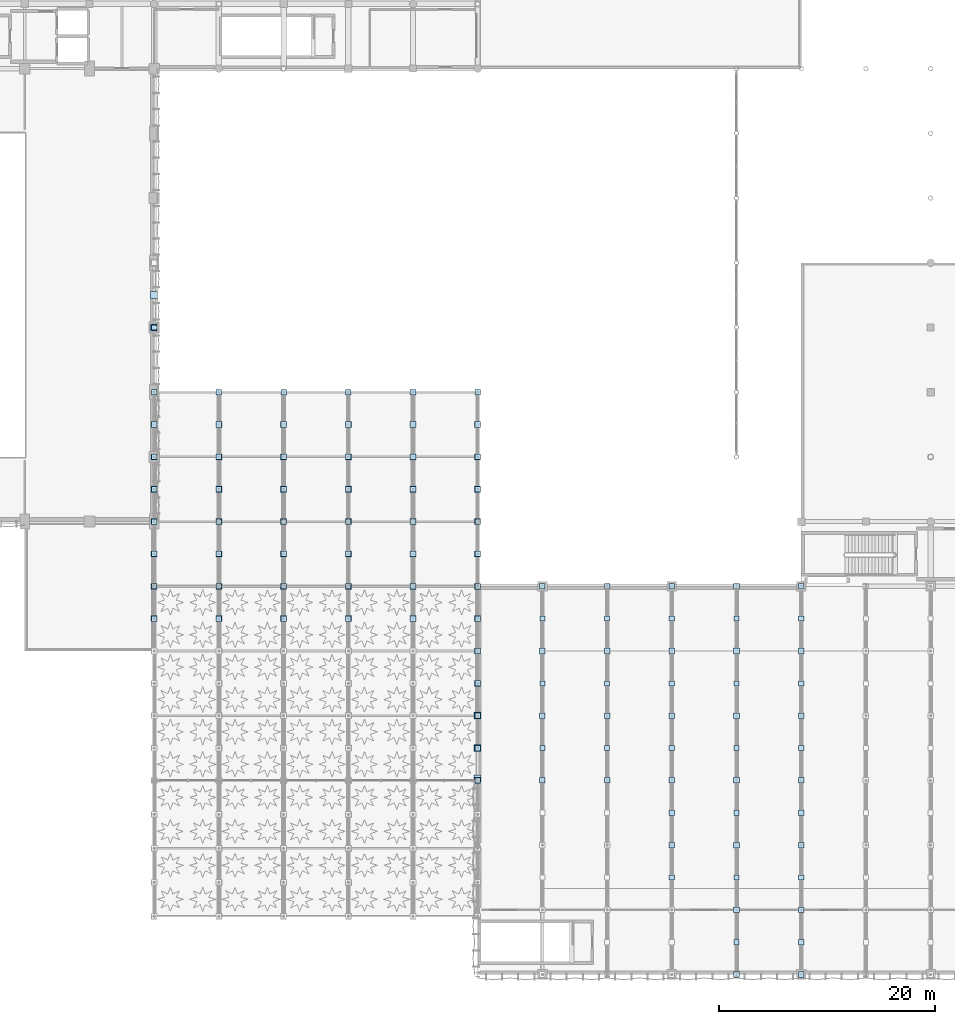
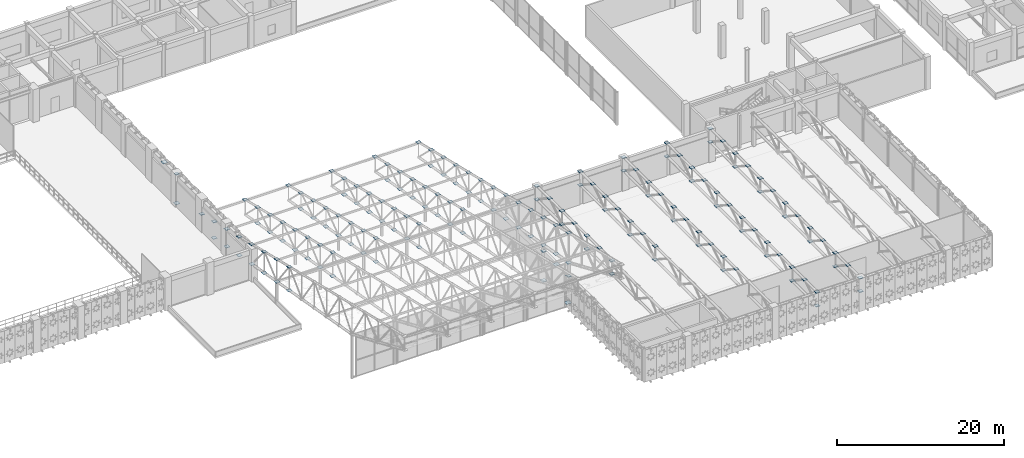
# One storey, part 92 of 123: 185 plates.
"""IFC4 building model written with IfcOpenShell, lengths in metres."""

from ifc_helpers import new_model, si_unit, direction, frame, origin, origin_2d, place, context, subcontext, project, spatial, rectangle, extrude, material, layer, layer_set, type_object, element, save


model = new_model("IFC4")

# Units and contexts
model_context = context("Model", 3, precision=1e-05, world=origin(), true_north=direction((0.0, 1.0)))
body_context = subcontext(model_context, "Body", "Model", "MODEL_VIEW")
ifc_project = project(units=[si_unit("LENGTHUNIT", "METRE"), si_unit("AREAUNIT", "SQUARE_METRE"), si_unit("VOLUMEUNIT", "CUBIC_METRE"), si_unit("PLANEANGLEUNIT", "RADIAN"), si_unit("MASSUNIT", "GRAM", prefix="KILO"), si_unit("THERMODYNAMICTEMPERATUREUNIT", "KELVIN"), si_unit("POWERUNIT", "WATT")], contexts=[model_context])

# Site, building, storey
site_placement = place(None, origin())
site = spatial("IfcSite", under=ifc_project, at=site_placement, CompositionType="ELEMENT")
building_placement = place(site_placement, origin())
building = spatial("IfcBuilding", under=site, at=building_placement, Name="Phaisarnlok Congress Hotel", CompositionType="ELEMENT")
storey_placement = place(building_placement, frame((0.0, 0.0, 15.0)))
storey = spatial("IfcBuildingStorey", under=building, at=storey_placement, Name="L03", CompositionType="ELEMENT", Elevation=15.0)

# Plates
ifc_material = material(Name="Steel S355", Category="steel")
ifc_layer_1 = layer(ifc_material, 0.01611328125, Name="Steel S355")
ifc_layer_set_1 = layer_set([ifc_layer_1], Name="Steel S355")
plate_type_1 = type_object("IfcPlateType", Name="PLT-GUS-650", PredefinedType="SHEET", material=ifc_layer_set_1)
for number, where, z_axis, x_axis, name in (
    (1, (66.0, 60.0, 0.141845703125), (0.0, 0.0, 1.0), (1.0, 0.0, 0.0), "Steel truss node plate NP-05 at NP-BF-B-L03-A"),
    (2, (66.0, 63.0, 4.322021484375), (0.0, 0.0, 1.0), (1.0, 0.0, 0.0), "Steel truss node plate NP-05 at NP-BF-B-L03-M"),
    (3, (96.0, 18.169921875, 0.44189453125), (0.0, 0.0, 1.0), (1.0, 0.0, 0.0), "Steel truss node plate NP-05 at NP-BF-C-L03-A"),
    (4, (96.0, 24.0, 0.141845703125), (0.0, 0.0, 1.0), (1.0, 0.0, 0.0), "Steel truss node plate NP-05 at NP-BF-C-L03-B"),
    (5, (96.0, 21.0, 4.322021484375), (0.0, 0.0, 1.0), (1.0, 0.0, 0.0), "Steel truss node plate NP-05 at NP-BF-C-L03-M"),
):
    element("IfcPlate", number, at=place(storey_placement, frame(where, z_axis=z_axis, x_axis=x_axis)), inside=storey, type_object=plate_type_1, Name=name, PredefinedType="SHEET", context=body_context, shape_type="SweptSolid", body=[
        extrude(rectangle(XDim=0.64990234375, YDim=0.64990234375, at=origin_2d()), origin(), (0.0, 0.0, 1.0), 0.01611328125),
    ])
ifc_layer_2 = layer(ifc_material, 0.02001953125, Name="Steel S355")
ifc_layer_set_2 = layer_set([ifc_layer_2], Name="Steel S355")
plate_type_2 = type_object("IfcPlateType", Name="PLT-NODE-480", PredefinedType="SHEET", material=ifc_layer_set_2)
for number, where, z_axis, x_axis, name in (
    (6, (102.0, 21.0, 4.619873046875), (0.0, 0.0, 1.0), (1.0, 0.0, 0.0), "Steel truss node plate NP-03 at NP-V2M-102-3"),
    (7, (102.0, 27.0, 4.619873046875), (0.0, 0.0, 1.0), (1.0, 0.0, 0.0), "Steel truss node plate NP-03 at NP-V2M-102-4"),
    (8, (102.0, 33.0, 4.619873046875), (0.0, 0.0, 1.0), (1.0, 0.0, 0.0), "Steel truss node plate NP-03 at NP-V2M-102-5"),
    (9, (108.0, 21.0, 4.619873046875), (0.0, 0.0, 1.0), (1.0, 0.0, 0.0), "Steel truss node plate NP-03 at NP-V2M-108-3"),
    (10, (108.0, 27.0, 4.619873046875), (0.0, 0.0, 1.0), (1.0, 0.0, 0.0), "Steel truss node plate NP-03 at NP-V2M-108-4"),
    (11, (108.0, 33.0, 4.619873046875), (0.0, 0.0, 1.0), (1.0, 0.0, 0.0), "Steel truss node plate NP-03 at NP-V2M-108-5"),
    (12, (114.0, 9.0, 4.619873046875), (0.0, 0.0, 1.0), (1.0, 0.0, 0.0), "Steel truss node plate NP-03 at NP-V2M-114-1"),
    (13, (114.0, 15.0, 4.619873046875), (0.0, 0.0, 1.0), (1.0, 0.0, 0.0), "Steel truss node plate NP-03 at NP-V2M-114-2"),
    (14, (114.0, 21.0, 4.619873046875), (0.0, 0.0, 1.0), (1.0, 0.0, 0.0), "Steel truss node plate NP-03 at NP-V2M-114-3"),
    (15, (114.0, 27.0, 4.619873046875), (0.0, 0.0, 1.0), (1.0, 0.0, 0.0), "Steel truss node plate NP-03 at NP-V2M-114-4"),
    (16, (114.0, 33.0, 4.619873046875), (0.0, 0.0, 1.0), (1.0, 0.0, 0.0), "Steel truss node plate NP-03 at NP-V2M-114-5"),
    (17, (120.0, 3.0, 4.619873046875), (0.0, 0.0, 1.0), (1.0, 0.0, 0.0), "Steel truss node plate NP-03 at NP-V2M-120-0"),
    (18, (120.0, 9.0, 4.619873046875), (0.0, 0.0, 1.0), (1.0, 0.0, 0.0), "Steel truss node plate NP-03 at NP-V2M-120-1"),
    (19, (120.0, 15.0, 4.619873046875), (0.0, 0.0, 1.0), (1.0, 0.0, 0.0), "Steel truss node plate NP-03 at NP-V2M-120-2"),
    (20, (120.0, 21.0, 4.619873046875), (0.0, 0.0, 1.0), (1.0, 0.0, 0.0), "Steel truss node plate NP-03 at NP-V2M-120-3"),
    (21, (120.0, 27.0, 4.619873046875), (0.0, 0.0, 1.0), (1.0, 0.0, 0.0), "Steel truss node plate NP-03 at NP-V2M-120-4"),
    (22, (120.0, 33.0, 4.619873046875), (0.0, 0.0, 1.0), (1.0, 0.0, 0.0), "Steel truss node plate NP-03 at NP-V2M-120-5"),
    (23, (126.0, 3.0, 4.619873046875), (0.0, 0.0, 1.0), (1.0, 0.0, 0.0), "Steel truss node plate NP-03 at NP-V2M-126-0"),
    (24, (126.0, 9.0, 4.619873046875), (0.0, 0.0, 1.0), (1.0, 0.0, 0.0), "Steel truss node plate NP-03 at NP-V2M-126-1"),
    (25, (126.0, 15.0, 4.619873046875), (0.0, 0.0, 1.0), (1.0, 0.0, 0.0), "Steel truss node plate NP-03 at NP-V2M-126-2"),
    (26, (126.0, 21.0, 4.619873046875), (0.0, 0.0, 1.0), (1.0, 0.0, 0.0), "Steel truss node plate NP-03 at NP-V2M-126-3"),
    (27, (126.0, 27.0, 4.619873046875), (0.0, 0.0, 1.0), (1.0, 0.0, 0.0), "Steel truss node plate NP-03 at NP-V2M-126-4"),
    (28, (126.0, 33.0, 4.619873046875), (0.0, 0.0, 1.0), (1.0, 0.0, 0.0), "Steel truss node plate NP-03 at NP-V2M-126-5"),
    (29, (66.0, 60.0, 4.43994140625), (0.0, 0.0, 1.0), (1.0, 0.0, 0.0), "Steel truss node plate NP-03 at NP-BF-B-L03-T1"),
    (30, (96.0, 18.0, 4.43994140625), (0.0, 0.0, 1.0), (1.0, 0.0, 0.0), "Steel truss node plate NP-03 at NP-BF-C-L03-T1"),
    (31, (96.0, 24.0, 4.43994140625), (0.0, 0.0, 1.0), (1.0, 0.0, 0.0), "Steel truss node plate NP-03 at NP-BF-C-L03-T2"),
):
    element("IfcPlate", number, at=place(storey_placement, frame(where, z_axis=z_axis, x_axis=x_axis)), inside=storey, type_object=plate_type_2, Name=name, PredefinedType="SHEET", context=body_context, shape_type="SweptSolid", body=[
        extrude(rectangle(XDim=0.47998046875, YDim=0.47998046875, at=origin_2d()), origin(), (0.0, 0.0, 1.0), 0.02001953125),
    ])
ifc_layer_3 = layer(ifc_material, 0.02490234375, Name="Steel S355")
ifc_layer_set_3 = layer_set([ifc_layer_3], Name="Steel S355")
plate_type_3 = type_object("IfcPlateType", Name="PLT-NODE-520", PredefinedType="SHEET", material=ifc_layer_set_3)
for number, where, z_axis, x_axis, name in (
    (32, (102.0, 18.0, 4.617431640625), (0.0, 0.0, 1.0), (1.0, 0.0, 0.0), "Steel truss node plate NP-02 at NP-V2T-102-3"),
    (33, (102.0, 18.0, 2.637451171875), (0.0, 0.0, 1.0), (1.0, 0.0, 0.0), "Steel truss node plate NP-02 at NP-V2B-102-3"),
    (34, (102.0, 24.0, 4.617431640625), (0.0, 0.0, 1.0), (1.0, 0.0, 0.0), "Steel truss node plate NP-02 at NP-V2T-102-4"),
    (35, (102.0, 24.0, 2.637451171875), (0.0, 0.0, 1.0), (1.0, 0.0, 0.0), "Steel truss node plate NP-02 at NP-V2B-102-4"),
    (36, (102.0, 30.0, 4.617431640625), (0.0, 0.0, 1.0), (1.0, 0.0, 0.0), "Steel truss node plate NP-02 at NP-V2T-102-5"),
    (37, (102.0, 30.0, 2.637451171875), (0.0, 0.0, 1.0), (1.0, 0.0, 0.0), "Steel truss node plate NP-02 at NP-V2B-102-5"),
    (38, (102.0, 36.0, 4.617431640625), (0.0, 0.0, 1.0), (1.0, 0.0, 0.0), "Steel truss node plate NP-02 at NP-V2T-102-6"),
    (39, (102.0, 36.0, 2.637451171875), (0.0, 0.0, 1.0), (1.0, 0.0, 0.0), "Steel truss node plate NP-02 at NP-V2B-102-6"),
    (40, (108.0, 18.0, 4.617431640625), (0.0, 0.0, 1.0), (1.0, 0.0, 0.0), "Steel truss node plate NP-02 at NP-V2T-108-3"),
    (41, (108.0, 18.0, 2.637451171875), (0.0, 0.0, 1.0), (1.0, 0.0, 0.0), "Steel truss node plate NP-02 at NP-V2B-108-3"),
    (42, (108.0, 24.0, 4.617431640625), (0.0, 0.0, 1.0), (1.0, 0.0, 0.0), "Steel truss node plate NP-02 at NP-V2T-108-4"),
    (43, (108.0, 24.0, 2.637451171875), (0.0, 0.0, 1.0), (1.0, 0.0, 0.0), "Steel truss node plate NP-02 at NP-V2B-108-4"),
    (44, (108.0, 30.0, 4.617431640625), (0.0, 0.0, 1.0), (1.0, 0.0, 0.0), "Steel truss node plate NP-02 at NP-V2T-108-5"),
    (45, (108.0, 30.0, 2.637451171875), (0.0, 0.0, 1.0), (1.0, 0.0, 0.0), "Steel truss node plate NP-02 at NP-V2B-108-5"),
    (46, (108.0, 36.0, 4.617431640625), (0.0, 0.0, 1.0), (1.0, 0.0, 0.0), "Steel truss node plate NP-02 at NP-V2T-108-6"),
    (47, (108.0, 36.0, 2.637451171875), (0.0, 0.0, 1.0), (1.0, 0.0, 0.0), "Steel truss node plate NP-02 at NP-V2B-108-6"),
    (48, (114.0, 12.0, 4.617431640625), (0.0, 0.0, 1.0), (1.0, 0.0, 0.0), "Steel truss node plate NP-02 at NP-V2T-114-2"),
    (49, (114.0, 12.0, 2.637451171875), (0.0, 0.0, 1.0), (1.0, 0.0, 0.0), "Steel truss node plate NP-02 at NP-V2B-114-2"),
    (50, (114.0, 18.0, 4.617431640625), (0.0, 0.0, 1.0), (1.0, 0.0, 0.0), "Steel truss node plate NP-02 at NP-V2T-114-3"),
    (51, (114.0, 18.0, 2.637451171875), (0.0, 0.0, 1.0), (1.0, 0.0, 0.0), "Steel truss node plate NP-02 at NP-V2B-114-3"),
    (52, (114.0, 24.0, 4.617431640625), (0.0, 0.0, 1.0), (1.0, 0.0, 0.0), "Steel truss node plate NP-02 at NP-V2T-114-4"),
    (53, (114.0, 24.0, 2.637451171875), (0.0, 0.0, 1.0), (1.0, 0.0, 0.0), "Steel truss node plate NP-02 at NP-V2B-114-4"),
    (54, (114.0, 30.0, 4.617431640625), (0.0, 0.0, 1.0), (1.0, 0.0, 0.0), "Steel truss node plate NP-02 at NP-V2T-114-5"),
    (55, (114.0, 30.0, 2.637451171875), (0.0, 0.0, 1.0), (1.0, 0.0, 0.0), "Steel truss node plate NP-02 at NP-V2B-114-5"),
    (56, (114.0, 36.0, 4.617431640625), (0.0, 0.0, 1.0), (1.0, 0.0, 0.0), "Steel truss node plate NP-02 at NP-V2T-114-6"),
    (57, (114.0, 36.0, 2.637451171875), (0.0, 0.0, 1.0), (1.0, 0.0, 0.0), "Steel truss node plate NP-02 at NP-V2B-114-6"),
    (58, (120.0, 0.0, 4.617431640625), (0.0, 0.0, 1.0), (1.0, 0.0, 0.0), "Steel truss node plate NP-02 at NP-V2T-120-0"),
    (59, (120.0, 0.0, 2.637451171875), (0.0, 0.0, 1.0), (1.0, 0.0, 0.0), "Steel truss node plate NP-02 at NP-V2B-120-0"),
    (60, (120.0, 6.0, 4.617431640625), (0.0, 0.0, 1.0), (1.0, 0.0, 0.0), "Steel truss node plate NP-02 at NP-V2T-120-1"),
    (61, (120.0, 6.0, 2.637451171875), (0.0, 0.0, 1.0), (1.0, 0.0, 0.0), "Steel truss node plate NP-02 at NP-V2B-120-1"),
    (62, (120.0, 12.0, 4.617431640625), (0.0, 0.0, 1.0), (1.0, 0.0, 0.0), "Steel truss node plate NP-02 at NP-V2T-120-2"),
    (63, (120.0, 12.0, 2.637451171875), (0.0, 0.0, 1.0), (1.0, 0.0, 0.0), "Steel truss node plate NP-02 at NP-V2B-120-2"),
    (64, (120.0, 18.0, 4.617431640625), (0.0, 0.0, 1.0), (1.0, 0.0, 0.0), "Steel truss node plate NP-02 at NP-V2T-120-3"),
    (65, (120.0, 18.0, 2.637451171875), (0.0, 0.0, 1.0), (1.0, 0.0, 0.0), "Steel truss node plate NP-02 at NP-V2B-120-3"),
    (66, (120.0, 24.0, 4.617431640625), (0.0, 0.0, 1.0), (1.0, 0.0, 0.0), "Steel truss node plate NP-02 at NP-V2T-120-4"),
    (67, (120.0, 24.0, 2.637451171875), (0.0, 0.0, 1.0), (1.0, 0.0, 0.0), "Steel truss node plate NP-02 at NP-V2B-120-4"),
    (68, (120.0, 30.0, 4.617431640625), (0.0, 0.0, 1.0), (1.0, 0.0, 0.0), "Steel truss node plate NP-02 at NP-V2T-120-5"),
    (69, (120.0, 30.0, 2.637451171875), (0.0, 0.0, 1.0), (1.0, 0.0, 0.0), "Steel truss node plate NP-02 at NP-V2B-120-5"),
    (70, (120.0, 36.0, 4.617431640625), (0.0, 0.0, 1.0), (1.0, 0.0, 0.0), "Steel truss node plate NP-02 at NP-V2T-120-6"),
    (71, (120.0, 36.0, 2.637451171875), (0.0, 0.0, 1.0), (1.0, 0.0, 0.0), "Steel truss node plate NP-02 at NP-V2B-120-6"),
    (72, (126.0, 0.0, 4.617431640625), (0.0, 0.0, 1.0), (1.0, 0.0, 0.0), "Steel truss node plate NP-02 at NP-V2T-126-0"),
    (73, (126.0, 0.0, 2.637451171875), (0.0, 0.0, 1.0), (1.0, 0.0, 0.0), "Steel truss node plate NP-02 at NP-V2B-126-0"),
    (74, (126.0, 6.0, 4.617431640625), (0.0, 0.0, 1.0), (1.0, 0.0, 0.0), "Steel truss node plate NP-02 at NP-V2T-126-1"),
    (75, (126.0, 6.0, 2.637451171875), (0.0, 0.0, 1.0), (1.0, 0.0, 0.0), "Steel truss node plate NP-02 at NP-V2B-126-1"),
    (76, (126.0, 12.0, 4.617431640625), (0.0, 0.0, 1.0), (1.0, 0.0, 0.0), "Steel truss node plate NP-02 at NP-V2T-126-2"),
    (77, (126.0, 12.0, 2.637451171875), (0.0, 0.0, 1.0), (1.0, 0.0, 0.0), "Steel truss node plate NP-02 at NP-V2B-126-2"),
    (78, (126.0, 18.0, 4.617431640625), (0.0, 0.0, 1.0), (1.0, 0.0, 0.0), "Steel truss node plate NP-02 at NP-V2T-126-3"),
    (79, (126.0, 18.0, 2.637451171875), (0.0, 0.0, 1.0), (1.0, 0.0, 0.0), "Steel truss node plate NP-02 at NP-V2B-126-3"),
    (80, (126.0, 24.0, 4.617431640625), (0.0, 0.0, 1.0), (1.0, 0.0, 0.0), "Steel truss node plate NP-02 at NP-V2T-126-4"),
    (81, (126.0, 24.0, 2.637451171875), (0.0, 0.0, 1.0), (1.0, 0.0, 0.0), "Steel truss node plate NP-02 at NP-V2B-126-4"),
    (82, (126.0, 30.0, 4.617431640625), (0.0, 0.0, 1.0), (1.0, 0.0, 0.0), "Steel truss node plate NP-02 at NP-V2T-126-5"),
    (83, (126.0, 30.0, 2.637451171875), (0.0, 0.0, 1.0), (1.0, 0.0, 0.0), "Steel truss node plate NP-02 at NP-V2B-126-5"),
    (84, (126.0, 36.0, 4.617431640625), (0.0, 0.0, 1.0), (1.0, 0.0, 0.0), "Steel truss node plate NP-02 at NP-V2T-126-6"),
    (85, (126.0, 36.0, 2.637451171875), (0.0, 0.0, 1.0), (1.0, 0.0, 0.0), "Steel truss node plate NP-02 at NP-V2B-126-6"),
    (86, (66.0, 54.0, 2.1875), (0.0, 0.0, 1.0), (1.0, 0.0, 0.0), "Steel truss node plate NP-02 at NP-WRS-T-0-00"),
    (87, (66.0, 51.0, 2.903564453125), (0.0, 0.0, 1.0), (1.0, 0.0, 0.0), "Steel truss node plate NP-02 at NP-WRS-T-0-01"),
    (88, (66.0, 48.0, 3.61962890625), (0.0, 0.0, 1.0), (1.0, 0.0, 0.0), "Steel truss node plate NP-02 at NP-WRS-T-0-02"),
    (89, (66.0, 45.0, 4.335693359375), (0.0, 0.0, 1.0), (1.0, 0.0, 0.0), "Steel truss node plate NP-02 at NP-WRS-T-0-03"),
    (90, (66.0, 42.0, 5.0517578125), (0.0, 0.0, 1.0), (1.0, 0.0, 0.0), "Steel truss node plate NP-02 at NP-WRS-T-0-04"),
    (91, (66.0, 39.0, 5.767822265625), (0.0, 0.0, 1.0), (1.0, 0.0, 0.0), "Steel truss node plate NP-02 at NP-WRS-T-0-05"),
    (92, (66.0, 36.0, 6.48388671875), (0.0, 0.0, 1.0), (1.0, 0.0, 0.0), "Steel truss node plate NP-02 at NP-WRS-T-0-06"),
    (93, (66.0, 33.0, 7.199951171875), (0.0, 0.0, 1.0), (1.0, 0.0, 0.0), "Steel truss node plate NP-02 at NP-WRS-T-0-07"),
    (94, (72.0, 54.0, 2.1875), (0.0, 0.0, 1.0), (1.0, 0.0, 0.0), "Steel truss node plate NP-02 at NP-WRS-T-1-00"),
    (95, (72.0, 51.0, 2.903564453125), (0.0, 0.0, 1.0), (1.0, 0.0, 0.0), "Steel truss node plate NP-02 at NP-WRS-T-1-01"),
    (96, (72.0, 48.0, 3.61962890625), (0.0, 0.0, 1.0), (1.0, 0.0, 0.0), "Steel truss node plate NP-02 at NP-WRS-T-1-02"),
    (97, (72.0, 45.0, 4.335693359375), (0.0, 0.0, 1.0), (1.0, 0.0, 0.0), "Steel truss node plate NP-02 at NP-WRS-T-1-03"),
    (98, (72.0, 42.0, 5.0517578125), (0.0, 0.0, 1.0), (1.0, 0.0, 0.0), "Steel truss node plate NP-02 at NP-WRS-T-1-04"),
    (99, (72.0, 39.0, 5.767822265625), (0.0, 0.0, 1.0), (1.0, 0.0, 0.0), "Steel truss node plate NP-02 at NP-WRS-T-1-05"),
    (100, (72.0, 36.0, 6.48388671875), (0.0, 0.0, 1.0), (1.0, 0.0, 0.0), "Steel truss node plate NP-02 at NP-WRS-T-1-06"),
    (101, (72.0, 33.0, 7.199951171875), (0.0, 0.0, 1.0), (1.0, 0.0, 0.0), "Steel truss node plate NP-02 at NP-WRS-T-1-07"),
    (102, (78.0, 54.0, 2.1875), (0.0, 0.0, 1.0), (1.0, 0.0, 0.0), "Steel truss node plate NP-02 at NP-WRS-T-2-00"),
    (103, (78.0, 51.0, 2.903564453125), (0.0, 0.0, 1.0), (1.0, 0.0, 0.0), "Steel truss node plate NP-02 at NP-WRS-T-2-01"),
    (104, (78.0, 48.0, 3.61962890625), (0.0, 0.0, 1.0), (1.0, 0.0, 0.0), "Steel truss node plate NP-02 at NP-WRS-T-2-02"),
    (105, (78.0, 45.0, 4.335693359375), (0.0, 0.0, 1.0), (1.0, 0.0, 0.0), "Steel truss node plate NP-02 at NP-WRS-T-2-03"),
    (106, (78.0, 42.0, 5.0517578125), (0.0, 0.0, 1.0), (1.0, 0.0, 0.0), "Steel truss node plate NP-02 at NP-WRS-T-2-04"),
    (107, (78.0, 39.0, 5.767822265625), (0.0, 0.0, 1.0), (1.0, 0.0, 0.0), "Steel truss node plate NP-02 at NP-WRS-T-2-05"),
    (108, (78.0, 36.0, 6.48388671875), (0.0, 0.0, 1.0), (1.0, 0.0, 0.0), "Steel truss node plate NP-02 at NP-WRS-T-2-06"),
    (109, (78.0, 33.0, 7.199951171875), (0.0, 0.0, 1.0), (1.0, 0.0, 0.0), "Steel truss node plate NP-02 at NP-WRS-T-2-07"),
    (110, (84.0, 54.0, 2.1875), (0.0, 0.0, 1.0), (1.0, 0.0, 0.0), "Steel truss node plate NP-02 at NP-WRS-T-3-00"),
    (111, (84.0, 51.0, 2.903564453125), (0.0, 0.0, 1.0), (1.0, 0.0, 0.0), "Steel truss node plate NP-02 at NP-WRS-T-3-01"),
    (112, (84.0, 48.0, 3.61962890625), (0.0, 0.0, 1.0), (1.0, 0.0, 0.0), "Steel truss node plate NP-02 at NP-WRS-T-3-02"),
    (113, (84.0, 45.0, 4.335693359375), (0.0, 0.0, 1.0), (1.0, 0.0, 0.0), "Steel truss node plate NP-02 at NP-WRS-T-3-03"),
    (114, (84.0, 42.0, 5.0517578125), (0.0, 0.0, 1.0), (1.0, 0.0, 0.0), "Steel truss node plate NP-02 at NP-WRS-T-3-04"),
    (115, (84.0, 39.0, 5.767822265625), (0.0, 0.0, 1.0), (1.0, 0.0, 0.0), "Steel truss node plate NP-02 at NP-WRS-T-3-05"),
    (116, (84.0, 36.0, 6.48388671875), (0.0, 0.0, 1.0), (1.0, 0.0, 0.0), "Steel truss node plate NP-02 at NP-WRS-T-3-06"),
    (117, (84.0, 33.0, 7.199951171875), (0.0, 0.0, 1.0), (1.0, 0.0, 0.0), "Steel truss node plate NP-02 at NP-WRS-T-3-07"),
    (118, (90.0, 54.0, 2.1875), (0.0, 0.0, 1.0), (1.0, 0.0, 0.0), "Steel truss node plate NP-02 at NP-WRS-T-4-00"),
    (119, (90.0, 51.0, 2.903564453125), (0.0, 0.0, 1.0), (1.0, 0.0, 0.0), "Steel truss node plate NP-02 at NP-WRS-T-4-01"),
    (120, (90.0, 48.0, 3.61962890625), (0.0, 0.0, 1.0), (1.0, 0.0, 0.0), "Steel truss node plate NP-02 at NP-WRS-T-4-02"),
    (121, (90.0, 45.0, 4.335693359375), (0.0, 0.0, 1.0), (1.0, 0.0, 0.0), "Steel truss node plate NP-02 at NP-WRS-T-4-03"),
    (122, (90.0, 42.0, 5.0517578125), (0.0, 0.0, 1.0), (1.0, 0.0, 0.0), "Steel truss node plate NP-02 at NP-WRS-T-4-04"),
    (123, (90.0, 39.0, 5.767822265625), (0.0, 0.0, 1.0), (1.0, 0.0, 0.0), "Steel truss node plate NP-02 at NP-WRS-T-4-05"),
    (124, (90.0, 36.0, 6.48388671875), (0.0, 0.0, 1.0), (1.0, 0.0, 0.0), "Steel truss node plate NP-02 at NP-WRS-T-4-06"),
    (125, (90.0, 33.0, 7.199951171875), (0.0, 0.0, 1.0), (1.0, 0.0, 0.0), "Steel truss node plate NP-02 at NP-WRS-T-4-07"),
    (126, (96.0, 54.0, 2.1875), (0.0, 0.0, 1.0), (1.0, 0.0, 0.0), "Steel truss node plate NP-02 at NP-WRS-T-5-00"),
    (127, (96.0, 51.0, 2.903564453125), (0.0, 0.0, 1.0), (1.0, 0.0, 0.0), "Steel truss node plate NP-02 at NP-WRS-T-5-01"),
    (128, (96.0, 48.0, 3.61962890625), (0.0, 0.0, 1.0), (1.0, 0.0, 0.0), "Steel truss node plate NP-02 at NP-WRS-T-5-02"),
    (129, (96.0, 45.0, 4.335693359375), (0.0, 0.0, 1.0), (1.0, 0.0, 0.0), "Steel truss node plate NP-02 at NP-WRS-T-5-03"),
    (130, (96.0, 42.0, 5.0517578125), (0.0, 0.0, 1.0), (1.0, 0.0, 0.0), "Steel truss node plate NP-02 at NP-WRS-T-5-04"),
    (131, (96.0, 39.0, 5.767822265625), (0.0, 0.0, 1.0), (1.0, 0.0, 0.0), "Steel truss node plate NP-02 at NP-WRS-T-5-05"),
    (132, (96.0, 36.0, 6.48388671875), (0.0, 0.0, 1.0), (1.0, 0.0, 0.0), "Steel truss node plate NP-02 at NP-WRS-T-5-06"),
    (133, (96.0, 33.0, 7.199951171875), (0.0, 0.0, 1.0), (1.0, 0.0, 0.0), "Steel truss node plate NP-02 at NP-WRS-T-5-07"),
    (134, (96.0, 30.0, 7.916015625), (0.0, 0.0, 1.0), (1.0, 0.0, 0.0), "Steel truss node plate NP-02 at NP-WRS-T-5-08"),
    (135, (96.0, 27.0, 8.632080078125), (0.0, 0.0, 1.0), (1.0, 0.0, 0.0), "Steel truss node plate NP-02 at NP-WRS-T-5-09"),
    (136, (96.0, 24.0, 9.34814453125), (0.0, 0.0, 1.0), (1.0, 0.0, 0.0), "Steel truss node plate NP-02 at NP-WRS-T-5-10"),
    (137, (96.0, 21.0, 10.064208984375), (0.0, 0.0, 1.0), (1.0, 0.0, 0.0), "Steel truss node plate NP-02 at NP-WRS-T-5-11"),
    (138, (96.0, 18.0, 10.780029296875), (0.0, 0.0, 1.0), (1.0, 0.0, 0.0), "Steel truss node plate NP-02 at NP-WRS-T-5-12"),
):
    element("IfcPlate", number, at=place(storey_placement, frame(where, z_axis=z_axis, x_axis=x_axis)), inside=storey, type_object=plate_type_3, Name=name, PredefinedType="SHEET", context=body_context, shape_type="SweptSolid", body=[
        extrude(rectangle(XDim=0.52001953125, YDim=0.52001953125, at=origin_2d()), origin(), (0.0, 0.0, 1.0), 0.02490234375),
    ])
ifc_layer_4 = layer(ifc_material, 0.030029296875, Name="Steel S355")
ifc_layer_set_4 = layer_set([ifc_layer_4], Name="Steel S355")
plate_type_4 = type_object("IfcPlateType", Name="PLT-NODE-560", PredefinedType="SHEET", material=ifc_layer_set_4)
for number, where, z_axis, x_axis, name in (
    (139, (66.0, 36.0, 3.18505859375), (0.0, 0.0, 1.0), (1.0, 0.0, 0.0), "Steel truss node plate NP-01 at NP-WRSEXT-066-036"),
    (140, (72.0, 42.0, 2.1181640625), (0.0, 0.0, 1.0), (1.0, 0.0, 0.0), "Steel truss node plate NP-01 at NP-WRSEXT-072-042"),
    (141, (72.0, 36.0, 3.18505859375), (0.0, 0.0, 1.0), (1.0, 0.0, 0.0), "Steel truss node plate NP-01 at NP-WRSEXT-072-036"),
    (142, (78.0, 42.0, 2.1181640625), (0.0, 0.0, 1.0), (1.0, 0.0, 0.0), "Steel truss node plate NP-01 at NP-WRSEXT-078-042"),
    (143, (78.0, 36.0, 3.18505859375), (0.0, 0.0, 1.0), (1.0, 0.0, 0.0), "Steel truss node plate NP-01 at NP-WRSEXT-078-036"),
    (144, (84.0, 42.0, 2.1181640625), (0.0, 0.0, 1.0), (1.0, 0.0, 0.0), "Steel truss node plate NP-01 at NP-WRSEXT-084-042"),
    (145, (84.0, 36.0, 3.18505859375), (0.0, 0.0, 1.0), (1.0, 0.0, 0.0), "Steel truss node plate NP-01 at NP-WRSEXT-084-036"),
    (146, (90.0, 42.0, 2.1181640625), (0.0, 0.0, 1.0), (1.0, 0.0, 0.0), "Steel truss node plate NP-01 at NP-WRSEXT-090-042"),
    (147, (90.0, 36.0, 3.18505859375), (0.0, 0.0, 1.0), (1.0, 0.0, 0.0), "Steel truss node plate NP-01 at NP-WRSEXT-090-036"),
    (148, (96.0, 42.0, 2.1181640625), (0.0, 0.0, 1.0), (1.0, 0.0, 0.0), "Steel truss node plate NP-01 at NP-WRSEXT-096-042"),
    (149, (96.0, 18.0, 6.384765625), (0.0, 0.0, 1.0), (1.0, 0.0, 0.0), "Steel truss node plate NP-01 at NP-WRS-COL-096U"),
    (150, (66.0, 51.0, 0.5185546875), (0.0, 0.0, 1.0), (1.0, 0.0, 0.0), "Steel truss node plate NP-01 at NP-WRS-B-0-01"),
    (151, (66.0, 48.0, 1.0517578125), (0.0, 0.0, 1.0), (1.0, 0.0, 0.0), "Steel truss node plate NP-01 at NP-WRS-B-0-02"),
    (152, (66.0, 45.0, 1.5849609375), (0.0, 0.0, 1.0), (1.0, 0.0, 0.0), "Steel truss node plate NP-01 at NP-WRS-B-0-03"),
    (153, (66.0, 42.0, 2.1181640625), (0.0, 0.0, 1.0), (1.0, 0.0, 0.0), "Steel truss node plate NP-01 at NP-WRS-B-0-04"),
    (154, (66.0, 39.0, 2.65185546875), (0.0, 0.0, 1.0), (1.0, 0.0, 0.0), "Steel truss node plate NP-01 at NP-WRS-B-0-05"),
    (155, (66.0, 33.0, 3.71826171875), (0.0, 0.0, 1.0), (1.0, 0.0, 0.0), "Steel truss node plate NP-01 at NP-WRS-B-0-07"),
    (156, (72.0, 51.0, 0.5185546875), (0.0, 0.0, 1.0), (1.0, 0.0, 0.0), "Steel truss node plate NP-01 at NP-WRS-B-1-01"),
    (157, (72.0, 48.0, 1.0517578125), (0.0, 0.0, 1.0), (1.0, 0.0, 0.0), "Steel truss node plate NP-01 at NP-WRS-B-1-02"),
    (158, (72.0, 45.0, 1.5849609375), (0.0, 0.0, 1.0), (1.0, 0.0, 0.0), "Steel truss node plate NP-01 at NP-WRS-B-1-03"),
    (159, (72.0, 39.0, 2.65185546875), (0.0, 0.0, 1.0), (1.0, 0.0, 0.0), "Steel truss node plate NP-01 at NP-WRS-B-1-05"),
    (160, (72.0, 33.0, 3.71826171875), (0.0, 0.0, 1.0), (1.0, 0.0, 0.0), "Steel truss node plate NP-01 at NP-WRS-B-1-07"),
    (161, (78.0, 51.0, 0.5185546875), (0.0, 0.0, 1.0), (1.0, 0.0, 0.0), "Steel truss node plate NP-01 at NP-WRS-B-2-01"),
    (162, (78.0, 48.0, 1.0517578125), (0.0, 0.0, 1.0), (1.0, 0.0, 0.0), "Steel truss node plate NP-01 at NP-WRS-B-2-02"),
    (163, (78.0, 45.0, 1.5849609375), (0.0, 0.0, 1.0), (1.0, 0.0, 0.0), "Steel truss node plate NP-01 at NP-WRS-B-2-03"),
    (164, (78.0, 39.0, 2.65185546875), (0.0, 0.0, 1.0), (1.0, 0.0, 0.0), "Steel truss node plate NP-01 at NP-WRS-B-2-05"),
    (165, (78.0, 33.0, 3.71826171875), (0.0, 0.0, 1.0), (1.0, 0.0, 0.0), "Steel truss node plate NP-01 at NP-WRS-B-2-07"),
    (166, (84.0, 51.0, 0.5185546875), (0.0, 0.0, 1.0), (1.0, 0.0, 0.0), "Steel truss node plate NP-01 at NP-WRS-B-3-01"),
    (167, (84.0, 48.0, 1.0517578125), (0.0, 0.0, 1.0), (1.0, 0.0, 0.0), "Steel truss node plate NP-01 at NP-WRS-B-3-02"),
    (168, (84.0, 45.0, 1.5849609375), (0.0, 0.0, 1.0), (1.0, 0.0, 0.0), "Steel truss node plate NP-01 at NP-WRS-B-3-03"),
    (169, (84.0, 39.0, 2.65185546875), (0.0, 0.0, 1.0), (1.0, 0.0, 0.0), "Steel truss node plate NP-01 at NP-WRS-B-3-05"),
    (170, (84.0, 33.0, 3.71826171875), (0.0, 0.0, 1.0), (1.0, 0.0, 0.0), "Steel truss node plate NP-01 at NP-WRS-B-3-07"),
    (171, (90.0, 51.0, 0.5185546875), (0.0, 0.0, 1.0), (1.0, 0.0, 0.0), "Steel truss node plate NP-01 at NP-WRS-B-4-01"),
    (172, (90.0, 48.0, 1.0517578125), (0.0, 0.0, 1.0), (1.0, 0.0, 0.0), "Steel truss node plate NP-01 at NP-WRS-B-4-02"),
    (173, (90.0, 45.0, 1.5849609375), (0.0, 0.0, 1.0), (1.0, 0.0, 0.0), "Steel truss node plate NP-01 at NP-WRS-B-4-03"),
    (174, (90.0, 39.0, 2.65185546875), (0.0, 0.0, 1.0), (1.0, 0.0, 0.0), "Steel truss node plate NP-01 at NP-WRS-B-4-05"),
    (175, (90.0, 33.0, 3.71826171875), (0.0, 0.0, 1.0), (1.0, 0.0, 0.0), "Steel truss node plate NP-01 at NP-WRS-B-4-07"),
    (176, (96.0, 51.0, 0.5185546875), (0.0, 0.0, 1.0), (1.0, 0.0, 0.0), "Steel truss node plate NP-01 at NP-WRS-B-5-01"),
    (177, (96.0, 48.0, 1.0517578125), (0.0, 0.0, 1.0), (1.0, 0.0, 0.0), "Steel truss node plate NP-01 at NP-WRS-B-5-02"),
    (178, (96.0, 45.0, 1.5849609375), (0.0, 0.0, 1.0), (1.0, 0.0, 0.0), "Steel truss node plate NP-01 at NP-WRS-B-5-03"),
    (179, (96.0, 39.0, 2.65185546875), (0.0, 0.0, 1.0), (1.0, 0.0, 0.0), "Steel truss node plate NP-01 at NP-WRS-B-5-05"),
    (180, (96.0, 36.0, 3.18505859375), (0.0, 0.0, 1.0), (1.0, 0.0, 0.0), "Steel truss node plate NP-01 at NP-WRS-B-5-06"),
    (181, (96.0, 33.0, 3.71826171875), (0.0, 0.0, 1.0), (1.0, 0.0, 0.0), "Steel truss node plate NP-01 at NP-WRS-B-5-07"),
    (182, (96.0, 30.0, 4.25146484375), (0.0, 0.0, 1.0), (1.0, 0.0, 0.0), "Steel truss node plate NP-01 at NP-WRS-B-5-08"),
    (183, (96.0, 27.0, 4.78515625), (0.0, 0.0, 1.0), (1.0, 0.0, 0.0), "Steel truss node plate NP-01 at NP-WRS-B-5-09"),
    (184, (96.0, 24.0, 5.318359375), (0.0, 0.0, 1.0), (1.0, 0.0, 0.0), "Steel truss node plate NP-01 at NP-WRS-B-5-10"),
    (185, (96.0, 21.0, 5.8515625), (0.0, 0.0, 1.0), (1.0, 0.0, 0.0), "Steel truss node plate NP-01 at NP-WRS-B-5-11"),
):
    element("IfcPlate", number, at=place(storey_placement, frame(where, z_axis=z_axis, x_axis=x_axis)), inside=storey, type_object=plate_type_4, Name=name, PredefinedType="SHEET", context=body_context, shape_type="SweptSolid", body=[
        extrude(rectangle(XDim=0.56005859375, YDim=0.56005859375, at=origin_2d()), origin(), (0.0, 0.0, 1.0), 0.030029296875),
    ])

save(model, "model.ifc")
